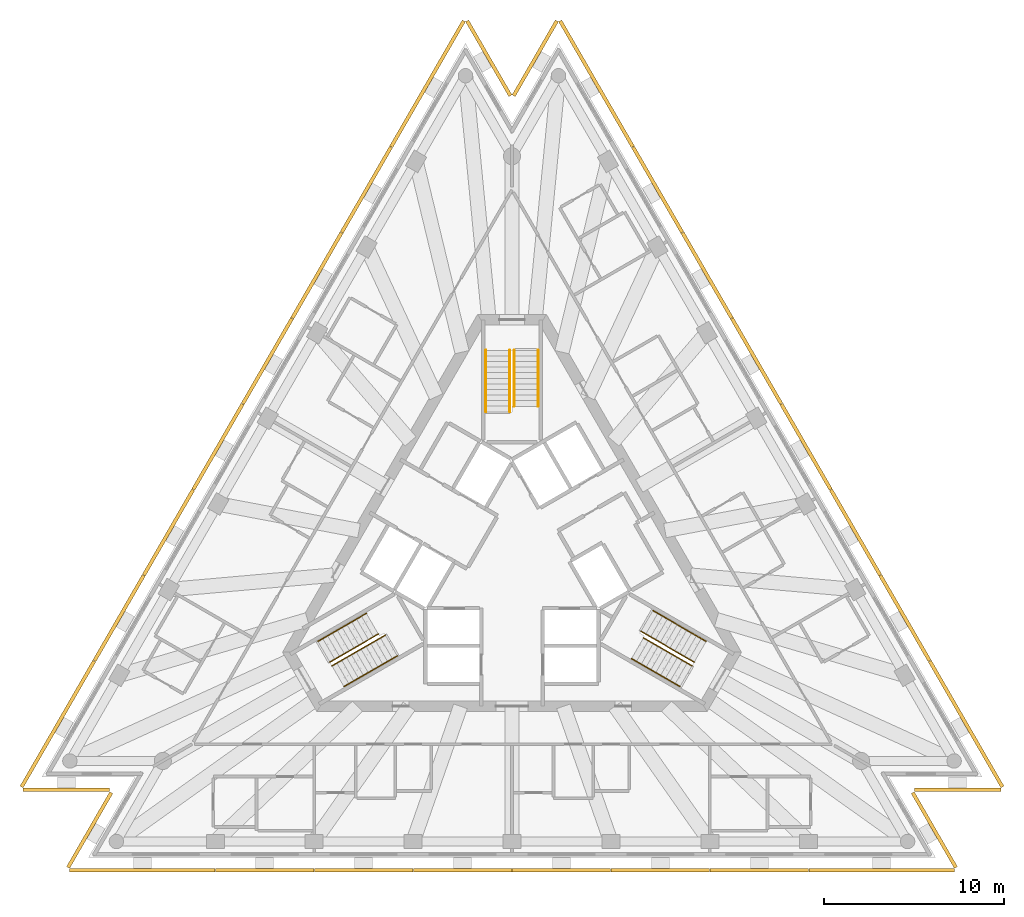
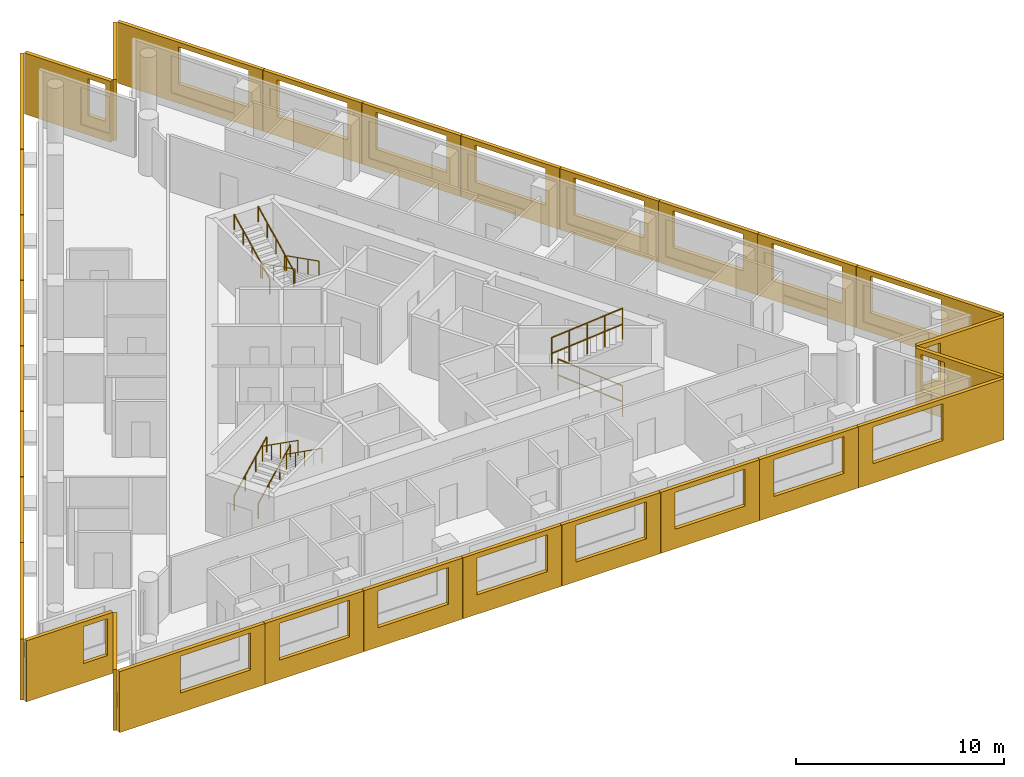
# One storey, part 9 of 9: 30 shading devices, 12 railings, 3 elements without a shape of their own.
"""IFC4 building model written with IfcOpenShell, lengths in metres."""

from ifc_helpers import new_model, si_unit, direction, frame, origin, origin_2d, place, context, subcontext, project, spatial, polyline, circle, outline, extrude, material, layer, layer_set, type_object, element, aggregate, save


model = new_model("IFC4")

# Units and contexts
model_context = context("Model", 3, precision=1e-05, world=origin(), true_north=direction((0.0, 1.0)))
body_context = subcontext(model_context, "Body", "Model", "MODEL_VIEW")
ifc_project = project(units=[si_unit("LENGTHUNIT", "METRE"), si_unit("AREAUNIT", "SQUARE_METRE"), si_unit("VOLUMEUNIT", "CUBIC_METRE"), si_unit("PLANEANGLEUNIT", "RADIAN"), si_unit("MASSUNIT", "GRAM", prefix="KILO")], contexts=[model_context])

# Site, building, storey
site_placement = place(None, origin())
site = spatial("IfcSite", under=ifc_project, at=site_placement, CompositionType="ELEMENT")
building_placement = place(site_placement, origin())
building = spatial("IfcBuilding", under=site, at=building_placement, Name="Triada Interchange Tower", CompositionType="ELEMENT")
storey_placement = place(building_placement, frame((0.0, 0.0, 286.300048828125)))
storey = spatial("IfcBuildingStorey", under=building, at=storey_placement, Name="L67", CompositionType="ELEMENT", Elevation=286.300048828125)

# Shading devices
ifc_material_1 = material(Name="Concrete C50/60 precast", Category="concrete")
ifc_layer_1 = layer(ifc_material_1, 0.02001953125, Name="Exposed aggregate face")
ifc_layer_2 = layer(ifc_material_1, 0.179931640625, Name="Precast concrete screen")
ifc_layer_set = layer_set([ifc_layer_1, ifc_layer_2], Name="Outer skin screen panel 3580")
shading_device_type = type_object("IfcShadingDeviceType", Name="Outer skin screen panel 3580", PredefinedType="SHUTTER", material=ifc_layer_set)
shading_device_1_placement = place(storey_placement, frame((-2.5859375, 29.8291015625, -0.2900390625), z_axis=(0.0, 0.0, 1.0), x_axis=(-0.500009794523, -0.86601974884, 0.0)))
element("IfcShadingDevice", 1, at=shading_device_1_placement, inside=storey, type_object=shading_device_type, Name="Outer skin screen panel L67 01", PredefinedType="SHUTTER", context=body_context, shape_type="SweptSolid", body=[
    extrude(outline(polyline([(0.0, 0.0), (8.065673828125, 0.0), (8.065673828125, 3.580078125), (0.0, 3.580078125), (0.0, 0.0)]), holes=[polyline([(3.381591796875, 1.139892578125), (3.381591796875, 3.300048828125), (7.281494140625, 3.300048828125), (7.281494140625, 1.139892578125), (3.381591796875, 1.139892578125)])]), frame((0.0, 0.0, 0.0), z_axis=(0.0, -1.0, 0.0), x_axis=(1.0, 0.0, 0.0)), (0.0, 0.0, 1.0), 0.199951171875),
])
for number, where, z_axis, x_axis, name in (
    (2, (-6.62890625, 22.826904296875, -0.2900390625), (0.0, 0.0, 1.0), (-0.499985249434, -0.86603391986, 0.0), "Outer skin screen panel L67 02"),
    (3, (-9.373046875, 18.073974609375, -0.2900390625), (0.0, 0.0, 1.0), (-0.499932432864, -0.866064410174, 0.0), "Outer skin screen panel L67 03"),
):
    element("IfcShadingDevice", number, at=place(storey_placement, frame(where, z_axis=z_axis, x_axis=x_axis)), inside=storey, type_object=shading_device_type, Name=name, PredefinedType="SHUTTER", context=body_context, shape_type="SweptSolid", body=[
        extrude(outline(polyline([(0.0, 0.0), (5.468505859375, 0.0), (5.468505859375, 3.580078125), (0.0, 3.580078125), (0.0, 0.0)]), holes=[polyline([(0.783447265625, 1.139892578125), (0.783447265625, 3.300048828125), (4.68359375, 3.300048828125), (4.68359375, 1.139892578125), (0.783447265625, 1.139892578125)])]), frame((0.0, 0.0, 0.0), z_axis=(0.0, -1.0, 0.0), x_axis=(1.0, 0.0, 0.0)), (0.0, 0.0, 1.0), 0.199951171875),
    ])
for number, where, z_axis, x_axis, name in (
    (4, (-12.116943359375, 13.321044921875, -0.2900390625), (0.0, 0.0, 1.0), (-0.500043250139, -0.866000431865, 0.0), "Outer skin screen panel L67 04"),
    (5, (-14.861083984375, 8.568115234375, -0.2900390625), (0.0, 0.0, 1.0), (-0.50000976292, -0.866019767087, 0.0), "Outer skin screen panel L67 05"),
):
    element("IfcShadingDevice", number, at=place(storey_placement, frame(where, z_axis=z_axis, x_axis=x_axis)), inside=storey, type_object=shading_device_type, Name=name, PredefinedType="SHUTTER", context=body_context, shape_type="SweptSolid", body=[
        extrude(outline(polyline([(0.0, 0.0), (5.4677734375, 0.0), (5.4677734375, 3.580078125), (0.0, 3.580078125), (0.0, 0.0)]), holes=[polyline([(0.783447265625, 1.139892578125), (0.783447265625, 3.300048828125), (4.68359375, 3.300048828125), (4.68359375, 1.139892578125), (0.783447265625, 1.139892578125)])]), frame((0.0, 0.0, 0.0), z_axis=(0.0, -1.0, 0.0), x_axis=(1.0, 0.0, 0.0)), (0.0, 0.0, 1.0), 0.199951171875),
    ])
for number, where, z_axis, x_axis, name in (
    (6, (-17.60498046875, 3.81591796875, -0.2900390625), (0.0, 0.0, 1.0), (-0.499985249434, -0.86603391986, 0.0), "Outer skin screen panel L67 06"),
    (7, (-20.34912109375, -0.93701171875, -0.2900390625), (0.0, 0.0, 1.0), (-0.499932432864, -0.866064410174, 0.0), "Outer skin screen panel L67 07"),
):
    element("IfcShadingDevice", number, at=place(storey_placement, frame(where, z_axis=z_axis, x_axis=x_axis)), inside=storey, type_object=shading_device_type, Name=name, PredefinedType="SHUTTER", context=body_context, shape_type="SweptSolid", body=[
        extrude(outline(polyline([(0.0, 0.0), (5.468505859375, 0.0), (5.468505859375, 3.580078125), (0.0, 3.580078125), (0.0, 0.0)]), holes=[polyline([(0.783447265625, 1.139892578125), (0.783447265625, 3.300048828125), (4.68359375, 3.300048828125), (4.68359375, 1.139892578125), (0.783447265625, 1.139892578125)])]), frame((0.0, 0.0, 0.0), z_axis=(0.0, -1.0, 0.0), x_axis=(1.0, 0.0, 0.0)), (0.0, 0.0, 1.0), 0.199951171875),
    ])
shading_device_2_placement = place(storey_placement, frame((-23.093017578125, -5.68994140625, -0.2900390625), z_axis=(0.0, 0.0, 1.0), x_axis=(-0.500009794523, -0.86601974884, 0.0)))
element("IfcShadingDevice", 8, at=shading_device_2_placement, inside=storey, type_object=shading_device_type, Name="Outer skin screen panel L67 08", PredefinedType="SHUTTER", context=body_context, shape_type="SweptSolid", body=[
    extrude(outline(polyline([(0.0, 0.0), (8.065673828125, 0.0), (8.065673828125, 3.580078125), (0.0, 3.580078125), (0.0, 0.0)]), holes=[polyline([(0.783447265625, 1.139892578125), (0.783447265625, 3.300048828125), (4.68359375, 3.300048828125), (4.68359375, 1.139892578125), (0.783447265625, 1.139892578125)])]), frame((0.0, 0.0, 0.0), z_axis=(0.0, -1.0, 0.0), x_axis=(1.0, 0.0, 0.0)), (0.0, 0.0, 1.0), 0.199951171875),
])
shading_device_3_placement = place(storey_placement, frame((-27.12109375, -12.68408203125, -0.2900390625), z_axis=(0.0, 0.0, 1.0), x_axis=(1.0, 0.0, 0.0)))
element("IfcShadingDevice", 9, at=shading_device_3_placement, inside=storey, type_object=shading_device_type, Name="Outer skin screen panel L67 09", PredefinedType="SHUTTER", context=body_context, shape_type="SweptSolid", body=[
    extrude(outline(polyline([(0.0, 0.0), (4.795166015625, 0.0), (4.795166015625, 3.580078125), (0.0, 3.580078125), (0.0, 0.0)]), holes=[polyline([(3.175048828125, 1.139892578125), (3.175048828125, 3.300048828125), (4.4951171875, 3.300048828125), (4.4951171875, 1.139892578125), (3.175048828125, 1.139892578125)])]), frame((0.0, 0.0, 0.0), z_axis=(0.0, -1.0, 0.0), x_axis=(1.0, 0.0, 0.0)), (0.0, 0.0, 1.0), 0.199951171875),
])
shading_device_4_placement = place(storey_placement, frame((-22.14794921875, -12.991943359375, -0.2900390625), z_axis=(0.0, 0.0, 1.0), x_axis=(-0.499873775192, -0.866098267447, 0.0)))
element("IfcShadingDevice", 10, at=shading_device_4_placement, inside=storey, type_object=shading_device_type, Name="Outer skin screen panel L67 10", PredefinedType="SHUTTER", context=body_context, shape_type="SweptSolid", body=[
    extrude(outline(polyline([(0.0, 0.0), (4.795166015625, 0.0), (4.795166015625, 3.580078125), (0.0, 3.580078125), (0.0, 0.0)]), holes=[polyline([(0.300048828125, 1.139892578125), (0.300048828125, 3.300048828125), (1.258544921875, 3.300048828125), (1.258544921875, 1.139892578125), (0.300048828125, 1.139892578125)])]), frame((0.0, 0.0, 0.0), z_axis=(0.0, -1.0, 0.0), x_axis=(1.0, 0.0, 0.0)), (0.0, 0.0, 1.0), 0.199951171875),
])
shading_device_5_placement = place(storey_placement, frame((-24.5400390625, -17.154052734375, -0.2900390625), z_axis=(0.0, 0.0, 1.0), x_axis=(1.0, 0.0, 0.0)))
element("IfcShadingDevice", 11, at=shading_device_5_placement, inside=storey, type_object=shading_device_type, Name="Outer skin screen panel L67 11", PredefinedType="SHUTTER", context=body_context, shape_type="SweptSolid", body=[
    extrude(outline(polyline([(0.0, 0.0), (8.06591796875, 0.0), (8.06591796875, 3.580078125), (0.0, 3.580078125), (0.0, 0.0)]), holes=[polyline([(3.382080078125, 1.139892578125), (3.382080078125, 3.300048828125), (7.281982421875, 3.300048828125), (7.281982421875, 1.139892578125), (3.382080078125, 1.139892578125)])]), frame((0.0, 0.0, 0.0), z_axis=(0.0, -1.0, 0.0), x_axis=(1.0, 0.0, 0.0)), (0.0, 0.0, 1.0), 0.199951171875),
])
for number, where, z_axis, x_axis, name in (
    (12, (-16.4541015625, -17.154052734375, -0.2900390625), (0.0, 0.0, 1.0), (1.0, 0.0, 0.0), "Outer skin screen panel L67 12"),
    (13, (-10.966064453125, -17.154052734375, -0.2900390625), (0.0, 0.0, 1.0), (1.0, 0.0, 0.0), "Outer skin screen panel L67 13"),
    (14, (-5.47802734375, -17.154052734375, -0.2900390625), (0.0, 0.0, 1.0), (1.0, 0.0, 0.0), "Outer skin screen panel L67 14"),
    (15, (0.010009765625, -17.154052734375, -0.2900390625), (0.0, 0.0, 1.0), (1.0, 0.0, 0.0), "Outer skin screen panel L67 15"),
    (16, (5.498046875, -17.154052734375, -0.2900390625), (0.0, 0.0, 1.0), (1.0, 0.0, 0.0), "Outer skin screen panel L67 16"),
    (17, (10.986083984375, -17.154052734375, -0.2900390625), (0.0, 0.0, 1.0), (1.0, 0.0, 0.0), "Outer skin screen panel L67 17"),
):
    element("IfcShadingDevice", number, at=place(storey_placement, frame(where, z_axis=z_axis, x_axis=x_axis)), inside=storey, type_object=shading_device_type, Name=name, PredefinedType="SHUTTER", context=body_context, shape_type="SweptSolid", body=[
        extrude(outline(polyline([(0.0, 0.0), (5.468017578125, 0.0), (5.468017578125, 3.580078125), (0.0, 3.580078125), (0.0, 0.0)]), holes=[polyline([(0.783935546875, 1.139892578125), (0.783935546875, 3.300048828125), (4.68408203125, 3.300048828125), (4.68408203125, 1.139892578125), (0.783935546875, 1.139892578125)])]), frame((0.0, 0.0, 0.0), z_axis=(0.0, -1.0, 0.0), x_axis=(1.0, 0.0, 0.0)), (0.0, 0.0, 1.0), 0.199951171875),
    ])
shading_device_6_placement = place(storey_placement, frame((16.47412109375, -17.154052734375, -0.2900390625), z_axis=(0.0, 0.0, 1.0), x_axis=(1.0, 0.0, 0.0)))
element("IfcShadingDevice", 18, at=shading_device_6_placement, inside=storey, type_object=shading_device_type, Name="Outer skin screen panel L67 18", PredefinedType="SHUTTER", context=body_context, shape_type="SweptSolid", body=[
    extrude(outline(polyline([(0.0, 0.0), (8.06591796875, 0.0), (8.06591796875, 3.580078125), (0.0, 3.580078125), (0.0, 0.0)]), holes=[polyline([(0.783935546875, 1.139892578125), (0.783935546875, 3.300048828125), (4.68408203125, 3.300048828125), (4.68408203125, 1.139892578125), (0.783935546875, 1.139892578125)])]), frame((0.0, 0.0, 0.0), z_axis=(0.0, -1.0, 0.0), x_axis=(1.0, 0.0, 0.0)), (0.0, 0.0, 1.0), 0.199951171875),
])
shading_device_7_placement = place(storey_placement, frame((24.544921875, -17.14501953125, -0.2900390625), z_axis=(0.0, 0.0, 1.0), x_axis=(-0.499873775192, 0.866098267447, 0.0)))
element("IfcShadingDevice", 19, at=shading_device_7_placement, inside=storey, type_object=shading_device_type, Name="Outer skin screen panel L67 19", PredefinedType="SHUTTER", context=body_context, shape_type="SweptSolid", body=[
    extrude(outline(polyline([(0.0, 0.0), (4.795166015625, 0.0), (4.795166015625, 3.580078125), (0.0, 3.580078125), (0.0, 0.0)]), holes=[polyline([(3.17529296875, 1.139892578125), (3.17529296875, 3.300048828125), (4.4951171875, 3.300048828125), (4.4951171875, 1.139892578125), (3.17529296875, 1.139892578125)])]), frame((0.0, 0.0, 0.0), z_axis=(0.0, -1.0, 0.0), x_axis=(1.0, 0.0, 0.0)), (0.0, 0.0, 1.0), 0.199951171875),
])
shading_device_8_placement = place(storey_placement, frame((22.325927734375, -12.68408203125, -0.2900390625), z_axis=(0.0, 0.0, 1.0), x_axis=(1.0, 0.0, 0.0)))
element("IfcShadingDevice", 20, at=shading_device_8_placement, inside=storey, type_object=shading_device_type, Name="Outer skin screen panel L67 20", PredefinedType="SHUTTER", context=body_context, shape_type="SweptSolid", body=[
    extrude(outline(polyline([(0.0, 0.0), (4.795166015625, 0.0), (4.795166015625, 3.580078125), (0.0, 3.580078125), (0.0, 0.0)]), holes=[polyline([(0.300048828125, 1.139892578125), (0.300048828125, 3.300048828125), (1.259033203125, 3.300048828125), (1.259033203125, 1.139892578125), (0.300048828125, 1.139892578125)])]), frame((0.0, 0.0, 0.0), z_axis=(0.0, -1.0, 0.0), x_axis=(1.0, 0.0, 0.0)), (0.0, 0.0, 1.0), 0.199951171875),
])
shading_device_9_placement = place(storey_placement, frame((27.1259765625, -12.675048828125, -0.2900390625), z_axis=(0.0, 0.0, 1.0), x_axis=(-0.500009794523, 0.86601974884, 0.0)))
element("IfcShadingDevice", 21, at=shading_device_9_placement, inside=storey, type_object=shading_device_type, Name="Outer skin screen panel L67 21", PredefinedType="SHUTTER", context=body_context, shape_type="SweptSolid", body=[
    extrude(outline(polyline([(0.0, 0.0), (8.065673828125, 0.0), (8.065673828125, 3.580078125), (0.0, 3.580078125), (0.0, 0.0)]), holes=[polyline([(3.38232421875, 1.139892578125), (3.38232421875, 3.300048828125), (7.2822265625, 3.300048828125), (7.2822265625, 1.139892578125), (3.38232421875, 1.139892578125)])]), frame((0.0, 0.0, 0.0), z_axis=(0.0, -1.0, 0.0), x_axis=(1.0, 0.0, 0.0)), (0.0, 0.0, 1.0), 0.199951171875),
])
for number, where, z_axis, x_axis, name in (
    (22, (23.0830078125, -5.673095703125, -0.2900390625), (0.0, 0.0, 1.0), (-0.499932432864, 0.866064410174, 0.0), "Outer skin screen panel L67 22"),
    (23, (20.339111328125, -0.919921875, -0.2900390625), (0.0, 0.0, 1.0), (-0.499985249434, 0.86603391986, 0.0), "Outer skin screen panel L67 23"),
):
    element("IfcShadingDevice", number, at=place(storey_placement, frame(where, z_axis=z_axis, x_axis=x_axis)), inside=storey, type_object=shading_device_type, Name=name, PredefinedType="SHUTTER", context=body_context, shape_type="SweptSolid", body=[
        extrude(outline(polyline([(0.0, 0.0), (5.468505859375, 0.0), (5.468505859375, 3.580078125), (0.0, 3.580078125), (0.0, 0.0)]), holes=[polyline([(0.7841796875, 1.139892578125), (0.7841796875, 3.300048828125), (4.68408203125, 3.300048828125), (4.68408203125, 1.139892578125), (0.7841796875, 1.139892578125)])]), frame((0.0, 0.0, 0.0), z_axis=(0.0, -1.0, 0.0), x_axis=(1.0, 0.0, 0.0)), (0.0, 0.0, 1.0), 0.199951171875),
    ])
for number, where, z_axis, x_axis, name in (
    (24, (17.594970703125, 3.8330078125, -0.2900390625), (0.0, 0.0, 1.0), (-0.50000976292, 0.866019767087, 0.0), "Outer skin screen panel L67 24"),
    (25, (14.85107421875, 8.5859375, -0.2900390625), (0.0, 0.0, 1.0), (-0.500043250139, 0.866000431865, 0.0), "Outer skin screen panel L67 25"),
):
    element("IfcShadingDevice", number, at=place(storey_placement, frame(where, z_axis=z_axis, x_axis=x_axis)), inside=storey, type_object=shading_device_type, Name=name, PredefinedType="SHUTTER", context=body_context, shape_type="SweptSolid", body=[
        extrude(outline(polyline([(0.0, 0.0), (5.4677734375, 0.0), (5.4677734375, 3.580078125), (0.0, 3.580078125), (0.0, 0.0)]), holes=[polyline([(0.7841796875, 1.139892578125), (0.7841796875, 3.300048828125), (4.68408203125, 3.300048828125), (4.68408203125, 1.139892578125), (0.7841796875, 1.139892578125)])]), frame((0.0, 0.0, 0.0), z_axis=(0.0, -1.0, 0.0), x_axis=(1.0, 0.0, 0.0)), (0.0, 0.0, 1.0), 0.199951171875),
    ])
for number, where, z_axis, x_axis, name in (
    (26, (12.10693359375, 13.337890625, -0.2900390625), (0.0, 0.0, 1.0), (-0.499932432864, 0.866064410174, 0.0), "Outer skin screen panel L67 26"),
    (27, (9.363037109375, 18.091064453125, -0.2900390625), (0.0, 0.0, 1.0), (-0.499985249434, 0.86603391986, 0.0), "Outer skin screen panel L67 27"),
):
    element("IfcShadingDevice", number, at=place(storey_placement, frame(where, z_axis=z_axis, x_axis=x_axis)), inside=storey, type_object=shading_device_type, Name=name, PredefinedType="SHUTTER", context=body_context, shape_type="SweptSolid", body=[
        extrude(outline(polyline([(0.0, 0.0), (5.468505859375, 0.0), (5.468505859375, 3.580078125), (0.0, 3.580078125), (0.0, 0.0)]), holes=[polyline([(0.7841796875, 1.139892578125), (0.7841796875, 3.300048828125), (4.68408203125, 3.300048828125), (4.68408203125, 1.139892578125), (0.7841796875, 1.139892578125)])]), frame((0.0, 0.0, 0.0), z_axis=(0.0, -1.0, 0.0), x_axis=(1.0, 0.0, 0.0)), (0.0, 0.0, 1.0), 0.199951171875),
    ])
shading_device_10_placement = place(storey_placement, frame((6.618896484375, 22.843994140625, -0.2900390625), z_axis=(0.0, 0.0, 1.0), x_axis=(-0.500009794523, 0.86601974884, 0.0)))
element("IfcShadingDevice", 28, at=shading_device_10_placement, inside=storey, type_object=shading_device_type, Name="Outer skin screen panel L67 28", PredefinedType="SHUTTER", context=body_context, shape_type="SweptSolid", body=[
    extrude(outline(polyline([(0.0, 0.0), (8.065673828125, 0.0), (8.065673828125, 3.580078125), (0.0, 3.580078125), (0.0, 0.0)]), holes=[polyline([(0.7841796875, 1.139892578125), (0.7841796875, 3.300048828125), (4.68408203125, 3.300048828125), (4.68408203125, 1.139892578125), (0.7841796875, 1.139892578125)])]), frame((0.0, 0.0, 0.0), z_axis=(0.0, -1.0, 0.0), x_axis=(1.0, 0.0, 0.0)), (0.0, 0.0, 1.0), 0.199951171875),
])
shading_device_11_placement = place(storey_placement, frame((2.575927734375, 29.8291015625, -0.2900390625), z_axis=(0.0, 0.0, 1.0), x_axis=(-0.500202931043, -0.865908209787, 0.0)))
element("IfcShadingDevice", 29, at=shading_device_11_placement, inside=storey, type_object=shading_device_type, Name="Outer skin screen panel L67 29", PredefinedType="SHUTTER", context=body_context, shape_type="SweptSolid", body=[
    extrude(outline(polyline([(0.0, 0.0), (4.7939453125, 0.0), (4.7939453125, 3.580078125), (0.0, 3.580078125), (0.0, 0.0)]), holes=[polyline([(3.175537109375, 1.139892578125), (3.175537109375, 3.300048828125), (4.494384765625, 3.300048828125), (4.494384765625, 1.139892578125), (3.175537109375, 1.139892578125)])]), frame((0.0, 0.0, 0.0), z_axis=(0.0, -1.0, 0.0), x_axis=(1.0, 0.0, 0.0)), (0.0, 0.0, 1.0), 0.199951171875),
])
shading_device_12_placement = place(storey_placement, frame((-0.177978515625, 25.677978515625, -0.2900390625), z_axis=(0.0, 0.0, 1.0), x_axis=(-0.500202931043, 0.865908209787, 0.0)))
element("IfcShadingDevice", 30, at=shading_device_12_placement, inside=storey, type_object=shading_device_type, Name="Outer skin screen panel L67 30", PredefinedType="SHUTTER", context=body_context, shape_type="SweptSolid", body=[
    extrude(outline(polyline([(0.0, 0.0), (4.7939453125, 0.0), (4.7939453125, 3.580078125), (0.0, 3.580078125), (0.0, 0.0)]), holes=[polyline([(0.300048828125, 1.139892578125), (0.300048828125, 3.300048828125), (1.258056640625, 3.300048828125), (1.258056640625, 1.139892578125), (0.300048828125, 1.139892578125)])]), frame((0.0, 0.0, 0.0), z_axis=(0.0, -1.0, 0.0), x_axis=(1.0, 0.0, 0.0)), (0.0, 0.0, 1.0), 0.199951171875),
])

# Stair, railings
ifc_material_2 = material(Name="Concrete C35/45", Category="concrete")
stair_type = type_object("IfcStairType", Name="HALF TURN STAIR 1400", PredefinedType="HALF_TURN_STAIR", material=ifc_material_2)
stair_1_placement = place(storey_placement, origin())
stair_1 = element("IfcStair", 31, at=stair_1_placement, inside=storey, type_object=stair_type, Name="Exit stair S65-1", PredefinedType="HALF_TURN_STAIR")
ifc_material_3 = material(Name="Stainless steel 1.4301", Category="steel")
railing_type = type_object("IfcRailingType", Name="STAIR HANDRAIL 900", PredefinedType="HANDRAIL", material=ifc_material_3)
railing_1_placement = place(storey_placement, frame((1.449951171875, 11.60009765625, 0.156494140625)))
railing_1 = element("IfcRailing", 32, at=railing_1_placement, type_object=railing_type, Name="Handrail S65-1 1W", PredefinedType="HANDRAIL", context=body_context, shape_type="SweptSolid", body=[
    extrude(circle(Radius=0.02392578125, at=origin_2d()), frame((0.0, 0.0, 0.8759765625), z_axis=(0.0, -0.89267693942, 0.450697106522), x_axis=(1.0, 0.0, 0.0)), (0.0, 0.0, 1.0), 3.472900390625),
    extrude(circle(Radius=0.02099609375, at=origin_2d()), origin(), (0.0, 0.0, 1.0), 0.851806640625),
    extrude(circle(Radius=0.02099609375, at=origin_2d()), frame((0.0, -1.033447265625, 0.521728515625)), (0.0, 0.0, 1.0), 0.851806640625),
    extrude(circle(Radius=0.02099609375, at=origin_2d()), frame((0.0, -2.066650390625, 1.04345703125)), (0.0, 0.0, 1.0), 0.851806640625),
    extrude(circle(Radius=0.02099609375, at=origin_2d()), frame((0.0, -3.10009765625, 1.565185546875)), (0.0, 0.0, 1.0), 0.851806640625),
])
railing_2_placement = place(storey_placement, frame((0.1201171875, 11.60009765625, 0.156494140625)))
railing_2 = element("IfcRailing", 33, at=railing_2_placement, type_object=railing_type, Name="Handrail S65-1 1C", PredefinedType="HANDRAIL", context=body_context, shape_type="SweptSolid", body=[
    extrude(circle(Radius=0.02392578125, at=origin_2d()), frame((0.0, 0.0, 0.8759765625), z_axis=(0.0, -0.89267693942, 0.450697106522), x_axis=(1.0, 0.0, 0.0)), (0.0, 0.0, 1.0), 3.472900390625),
    extrude(circle(Radius=0.02099609375, at=origin_2d()), origin(), (0.0, 0.0, 1.0), 0.851806640625),
    extrude(circle(Radius=0.02099609375, at=origin_2d()), frame((0.0, -1.033447265625, 0.521728515625)), (0.0, 0.0, 1.0), 0.851806640625),
    extrude(circle(Radius=0.02099609375, at=origin_2d()), frame((0.0, -2.066650390625, 1.04345703125)), (0.0, 0.0, 1.0), 0.851806640625),
    extrude(circle(Radius=0.02099609375, at=origin_2d()), frame((0.0, -3.10009765625, 1.565185546875)), (0.0, 0.0, 1.0), 0.851806640625),
])
railing_3_placement = place(storey_placement, frame((-1.449951171875, 8.18994140625, 1.878173828125)))
railing_3 = element("IfcRailing", 34, at=railing_3_placement, type_object=railing_type, Name="Handrail S65-1 2W", PredefinedType="HANDRAIL", context=body_context, shape_type="SweptSolid", body=[
    extrude(circle(Radius=0.02392578125, at=origin_2d()), frame((0.0, 0.0, 0.8759765625), z_axis=(0.0, 0.892682106939, 0.450686871287), x_axis=(-1.0, 0.0, 0.0)), (0.0, 0.0, 1.0), 3.820068359375),
    extrude(circle(Radius=0.02099609375, at=origin_2d()), origin(), (0.0, 0.0, 1.0), 0.851806640625),
    extrude(circle(Radius=0.02099609375, at=origin_2d()), frame((0.0, 0.8525390625, 0.430419921875)), (0.0, 0.0, 1.0), 0.851806640625),
    extrude(circle(Radius=0.02099609375, at=origin_2d()), frame((0.0, 1.705078125, 0.86083984375)), (0.0, 0.0, 1.0), 0.851806640625),
    extrude(circle(Radius=0.02099609375, at=origin_2d()), frame((0.0, 2.5576171875, 1.291259765625)), (0.0, 0.0, 1.0), 0.851806640625),
    extrude(circle(Radius=0.02099609375, at=origin_2d()), frame((0.0, 3.41015625, 1.7216796875)), (0.0, 0.0, 1.0), 0.851806640625),
])
railing_4_placement = place(storey_placement, frame((-0.1201171875, 8.18994140625, 1.878173828125)))
railing_4 = element("IfcRailing", 35, at=railing_4_placement, type_object=railing_type, Name="Handrail S65-1 2C", PredefinedType="HANDRAIL", context=body_context, shape_type="SweptSolid", body=[
    extrude(circle(Radius=0.02392578125, at=origin_2d()), frame((0.0, 0.0, 0.8759765625), z_axis=(0.0, 0.892682106939, 0.450686871287), x_axis=(-1.0, 0.0, 0.0)), (0.0, 0.0, 1.0), 3.820068359375),
    extrude(circle(Radius=0.02099609375, at=origin_2d()), origin(), (0.0, 0.0, 1.0), 0.851806640625),
    extrude(circle(Radius=0.02099609375, at=origin_2d()), frame((0.0, 0.8525390625, 0.430419921875)), (0.0, 0.0, 1.0), 0.851806640625),
    extrude(circle(Radius=0.02099609375, at=origin_2d()), frame((0.0, 1.705078125, 0.86083984375)), (0.0, 0.0, 1.0), 0.851806640625),
    extrude(circle(Radius=0.02099609375, at=origin_2d()), frame((0.0, 2.5576171875, 1.291259765625)), (0.0, 0.0, 1.0), 0.851806640625),
    extrude(circle(Radius=0.02099609375, at=origin_2d()), frame((0.0, 3.41015625, 1.7216796875)), (0.0, 0.0, 1.0), 0.851806640625),
])
aggregate(stair_1, [railing_1, railing_2, railing_3, railing_4])

stair_2_placement = place(storey_placement, origin())
stair_2 = element("IfcStair", 36, at=stair_2_placement, inside=storey, type_object=stair_type, Name="Exit stair S65-2", PredefinedType="HALF_TURN_STAIR")
railing_5_placement = place(storey_placement, frame((-10.77099609375, -4.5439453125, 0.156494140625)))
railing_5 = element("IfcRailing", 37, at=railing_5_placement, type_object=railing_type, Name="Handrail S65-2 1W", PredefinedType="HANDRAIL", context=body_context, shape_type="SweptSolid", body=[
    extrude(circle(Radius=0.02392578125, at=origin_2d()), frame((0.0, 0.0, 0.8759765625), z_axis=(0.773115112249, 0.446309133267, 0.4506674836), x_axis=(-0.499958760481, 0.866049212123, 0.0)), (0.0, 0.0, 1.0), 3.47314453125),
    extrude(circle(Radius=0.02099609375, at=origin_2d()), origin(), (0.0, 0.0, 1.0), 0.851806640625),
    extrude(circle(Radius=0.02099609375, at=origin_2d()), frame((0.89501953125, 0.5166015625, 0.521728515625)), (0.0, 0.0, 1.0), 0.851806640625),
    extrude(circle(Radius=0.02099609375, at=origin_2d()), frame((1.7900390625, 1.033447265625, 1.04345703125)), (0.0, 0.0, 1.0), 0.851806640625),
    extrude(circle(Radius=0.02099609375, at=origin_2d()), frame((2.68505859375, 1.550048828125, 1.565185546875)), (0.0, 0.0, 1.0), 0.851806640625),
])
railing_6_placement = place(storey_placement, frame((-10.10595703125, -5.696044921875, 0.156494140625)))
railing_6 = element("IfcRailing", 38, at=railing_6_placement, type_object=railing_type, Name="Handrail S65-2 1C", PredefinedType="HANDRAIL", context=body_context, shape_type="SweptSolid", body=[
    extrude(circle(Radius=0.02392578125, at=origin_2d()), frame((0.0, 0.0, 0.8759765625), z_axis=(0.773115112249, 0.446309133267, 0.4506674836), x_axis=(-0.499958760481, 0.866049212123, 0.0)), (0.0, 0.0, 1.0), 3.47314453125),
    extrude(circle(Radius=0.02099609375, at=origin_2d()), origin(), (0.0, 0.0, 1.0), 0.851806640625),
    extrude(circle(Radius=0.02099609375, at=origin_2d()), frame((0.89501953125, 0.5166015625, 0.521728515625)), (0.0, 0.0, 1.0), 0.851806640625),
    extrude(circle(Radius=0.02099609375, at=origin_2d()), frame((1.7900390625, 1.033447265625, 1.04345703125)), (0.0, 0.0, 1.0), 0.851806640625),
    extrude(circle(Radius=0.02099609375, at=origin_2d()), frame((2.68505859375, 1.550048828125, 1.565185546875)), (0.0, 0.0, 1.0), 0.851806640625),
])
railing_7_placement = place(storey_placement, frame((-6.367919921875, -5.35107421875, 1.878173828125)))
railing_7 = element("IfcRailing", 39, at=railing_7_placement, type_object=railing_type, Name="Handrail S65-2 2W", PredefinedType="HANDRAIL", context=body_context, shape_type="SweptSolid", body=[
    extrude(circle(Radius=0.02392578125, at=origin_2d()), frame((0.0, 0.0, 0.8759765625), z_axis=(-0.773090904651, -0.446304049866, 0.450714042625), x_axis=(0.499966231165, -0.866044899352, 0.0)), (0.0, 0.0, 1.0), 3.81982421875),
    extrude(circle(Radius=0.02099609375, at=origin_2d()), origin(), (0.0, 0.0, 1.0), 0.851806640625),
    extrude(circle(Radius=0.02099609375, at=origin_2d()), frame((-0.73828125, -0.42626953125, 0.430419921875)), (0.0, 0.0, 1.0), 0.851806640625),
    extrude(circle(Radius=0.02099609375, at=origin_2d()), frame((-1.4765625, -0.8525390625, 0.86083984375)), (0.0, 0.0, 1.0), 0.851806640625),
    extrude(circle(Radius=0.02099609375, at=origin_2d()), frame((-2.21484375, -1.278564453125, 1.291259765625)), (0.0, 0.0, 1.0), 0.851806640625),
    extrude(circle(Radius=0.02099609375, at=origin_2d()), frame((-2.953125, -1.704833984375, 1.7216796875)), (0.0, 0.0, 1.0), 0.851806640625),
])
railing_8_placement = place(storey_placement, frame((-7.032958984375, -4.198974609375, 1.878173828125)))
railing_8 = element("IfcRailing", 40, at=railing_8_placement, type_object=railing_type, Name="Handrail S65-2 2C", PredefinedType="HANDRAIL", context=body_context, shape_type="SweptSolid", body=[
    extrude(circle(Radius=0.02392578125, at=origin_2d()), frame((0.0, 0.0, 0.8759765625), z_axis=(-0.773068851904, -0.446355229968, 0.450701185816), x_axis=(0.50001992892, -0.866013897511, 0.0)), (0.0, 0.0, 1.0), 3.820068359375),
    extrude(circle(Radius=0.02099609375, at=origin_2d()), origin(), (0.0, 0.0, 1.0), 0.851806640625),
    extrude(circle(Radius=0.02099609375, at=origin_2d()), frame((-0.73828125, -0.42626953125, 0.430419921875)), (0.0, 0.0, 1.0), 0.851806640625),
    extrude(circle(Radius=0.02099609375, at=origin_2d()), frame((-1.4765625, -0.8525390625, 0.86083984375)), (0.0, 0.0, 1.0), 0.851806640625),
    extrude(circle(Radius=0.02099609375, at=origin_2d()), frame((-2.21484375, -1.27880859375, 1.291259765625)), (0.0, 0.0, 1.0), 0.851806640625),
    extrude(circle(Radius=0.02099609375, at=origin_2d()), frame((-2.953125, -1.705078125, 1.7216796875)), (0.0, 0.0, 1.0), 0.851806640625),
])
aggregate(stair_2, [railing_5, railing_6, railing_7, railing_8])

stair_3_placement = place(storey_placement, origin())
stair_3 = element("IfcStair", 41, at=stair_3_placement, inside=storey, type_object=stair_type, Name="Exit stair S65-3", PredefinedType="HALF_TURN_STAIR")
railing_9_placement = place(storey_placement, frame((9.321044921875, -7.055908203125, 0.156494140625)))
railing_9 = element("IfcRailing", 42, at=railing_9_placement, type_object=railing_type, Name="Handrail S65-3 1W", PredefinedType="HANDRAIL", context=body_context, shape_type="SweptSolid", body=[
    extrude(circle(Radius=0.02392578125, at=origin_2d()), frame((0.0, 0.0, 0.8759765625), z_axis=(-0.773139366989, 0.446252837029, 0.450681622274), x_axis=(-0.499899694197, -0.866083307622, 0.0)), (0.0, 0.0, 1.0), 3.472900390625),
    extrude(circle(Radius=0.02099609375, at=origin_2d()), origin(), (0.0, 0.0, 1.0), 0.851806640625),
    extrude(circle(Radius=0.02099609375, at=origin_2d()), frame((-0.89501953125, 0.5166015625, 0.521728515625)), (0.0, 0.0, 1.0), 0.851806640625),
    extrude(circle(Radius=0.02099609375, at=origin_2d()), frame((-1.7900390625, 1.033203125, 1.04345703125)), (0.0, 0.0, 1.0), 0.851806640625),
    extrude(circle(Radius=0.02099609375, at=origin_2d()), frame((-2.68505859375, 1.5498046875, 1.565185546875)), (0.0, 0.0, 1.0), 0.851806640625),
])
railing_10_placement = place(storey_placement, frame((9.986083984375, -5.904052734375, 0.156494140625)))
railing_10 = element("IfcRailing", 43, at=railing_10_placement, type_object=railing_type, Name="Handrail S65-3 1C", PredefinedType="HANDRAIL", context=body_context, shape_type="SweptSolid", body=[
    extrude(circle(Radius=0.02392578125, at=origin_2d()), frame((0.0, 0.0, 0.8759765625), z_axis=(-0.773115112249, 0.446309133267, 0.4506674836), x_axis=(-0.499958760481, -0.866049212123, 0.0)), (0.0, 0.0, 1.0), 3.47314453125),
    extrude(circle(Radius=0.02099609375, at=origin_2d()), origin(), (0.0, 0.0, 1.0), 0.851806640625),
    extrude(circle(Radius=0.02099609375, at=origin_2d()), frame((-0.89501953125, 0.5166015625, 0.521728515625)), (0.0, 0.0, 1.0), 0.851806640625),
    extrude(circle(Radius=0.02099609375, at=origin_2d()), frame((-1.7900390625, 1.033447265625, 1.04345703125)), (0.0, 0.0, 1.0), 0.851806640625),
    extrude(circle(Radius=0.02099609375, at=origin_2d()), frame((-2.68505859375, 1.550048828125, 1.565185546875)), (0.0, 0.0, 1.0), 0.851806640625),
])
railing_11_placement = place(storey_placement, frame((7.818115234375, -2.839111328125, 1.878173828125)))
railing_11 = element("IfcRailing", 44, at=railing_11_placement, type_object=railing_type, Name="Handrail S65-3 2W", PredefinedType="HANDRAIL", context=body_context, shape_type="SweptSolid", body=[
    extrude(circle(Radius=0.02392578125, at=origin_2d()), frame((0.0, 0.0, 0.8759765625), z_axis=(0.773065188623, -0.4463261027, 0.450736313367), x_axis=(0.499997234054, 0.866027000698, 0.0)), (0.0, 0.0, 1.0), 3.81982421875),
    extrude(circle(Radius=0.02099609375, at=origin_2d()), origin(), (0.0, 0.0, 1.0), 0.851806640625),
    extrude(circle(Radius=0.02099609375, at=origin_2d()), frame((0.73828125, -0.42626953125, 0.430419921875)), (0.0, 0.0, 1.0), 0.851806640625),
    extrude(circle(Radius=0.02099609375, at=origin_2d()), frame((1.4765625, -0.8525390625, 0.86083984375)), (0.0, 0.0, 1.0), 0.851806640625),
    extrude(circle(Radius=0.02099609375, at=origin_2d()), frame((2.214599609375, -1.278564453125, 1.291259765625)), (0.0, 0.0, 1.0), 0.851806640625),
    extrude(circle(Radius=0.02099609375, at=origin_2d()), frame((2.952880859375, -1.704833984375, 1.7216796875)), (0.0, 0.0, 1.0), 0.851806640625),
])
railing_12_placement = place(storey_placement, frame((7.153076171875, -3.990966796875, 1.878173828125)))
railing_12 = element("IfcRailing", 45, at=railing_12_placement, type_object=railing_type, Name="Handrail S65-3 2C", PredefinedType="HANDRAIL", context=body_context, shape_type="SweptSolid", body=[
    extrude(circle(Radius=0.02392578125, at=origin_2d()), frame((0.0, 0.0, 0.8759765625), z_axis=(0.773043134431, -0.446377284073, 0.450723454651), x_axis=(0.500050932918, 0.865995995653, 0.0)), (0.0, 0.0, 1.0), 3.81982421875),
    extrude(circle(Radius=0.02099609375, at=origin_2d()), origin(), (0.0, 0.0, 1.0), 0.851806640625),
    extrude(circle(Radius=0.02099609375, at=origin_2d()), frame((0.73828125, -0.42626953125, 0.430419921875)), (0.0, 0.0, 1.0), 0.851806640625),
    extrude(circle(Radius=0.02099609375, at=origin_2d()), frame((1.4765625, -0.8525390625, 0.86083984375)), (0.0, 0.0, 1.0), 0.851806640625),
    extrude(circle(Radius=0.02099609375, at=origin_2d()), frame((2.214599609375, -1.27880859375, 1.291259765625)), (0.0, 0.0, 1.0), 0.851806640625),
    extrude(circle(Radius=0.02099609375, at=origin_2d()), frame((2.952880859375, -1.705078125, 1.7216796875)), (0.0, 0.0, 1.0), 0.851806640625),
])
aggregate(stair_3, [railing_9, railing_10, railing_11, railing_12])

save(model, "model.ifc")
